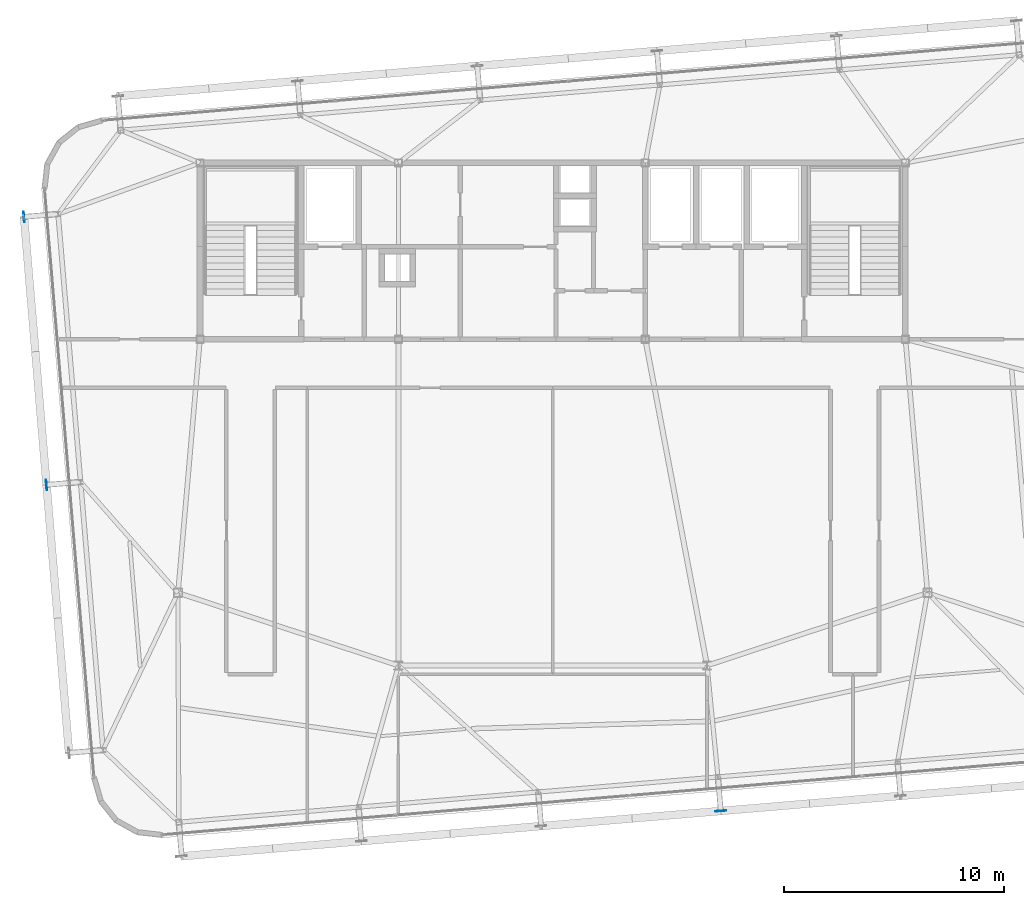
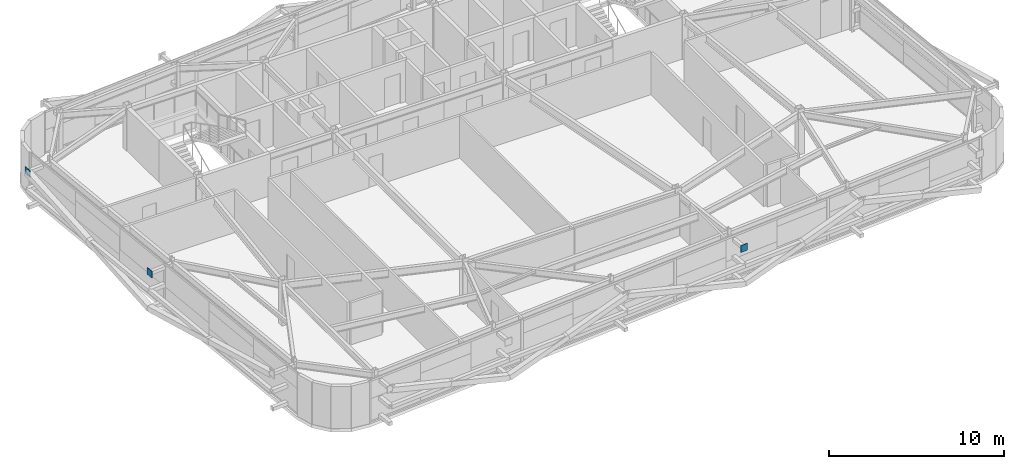
# One storey, part 28 of 37: 3 plates.
"""IFC4 building model written with IfcOpenShell, lengths in metres."""

from ifc_helpers import new_model, si_unit, direction, frame, origin, origin_2d, place, context, subcontext, project, spatial, rectangle, extrude, source, transform, mapped, material, layer, layer_set, type_object, element, save


model = new_model("IFC4")

# Units and contexts
model_context = context("Model", 3, precision=1e-05, world=origin(), true_north=direction((0.0, 1.0)))
body_context = subcontext(model_context, "Body", "Model", "MODEL_VIEW")
ifc_project = project(units=[si_unit("LENGTHUNIT", "METRE"), si_unit("AREAUNIT", "SQUARE_METRE"), si_unit("VOLUMEUNIT", "CUBIC_METRE"), si_unit("PLANEANGLEUNIT", "RADIAN"), si_unit("MASSUNIT", "GRAM", prefix="KILO")], contexts=[model_context])

# Site, building, storey
site_placement = place(None, origin())
site = spatial("IfcSite", under=ifc_project, at=site_placement, CompositionType="ELEMENT")
building_placement = place(site_placement, origin())
building = spatial("IfcBuilding", under=site, at=building_placement, Name="Taldren Reach Tower", CompositionType="ELEMENT")
storey_placement = place(building_placement, frame((0.0, 0.0, 200.89990234375)))
storey = spatial("IfcBuildingStorey", under=building, at=storey_placement, Name="L61", CompositionType="ELEMENT", Elevation=200.89990234375)

# Plates
ifc_material = material(Name="Steel Gr 450 (C450L0)", Category="steel")
ifc_layer = layer(ifc_material, 0.031982421875)
ifc_layer_set = layer_set([ifc_layer], Name="Steel Gr 450 (C450L0)")
plate_type = type_object("IfcPlateType", Name="PL-GUSSET-32", PredefinedType="SHEET", material=ifc_layer_set)
shared_shape = source(origin(), body_context, "Body", "SweptSolid", [
    extrude(rectangle(XDim=0.47998046875, YDim=0.031982421875, at=origin_2d()), origin(), (0.0, 0.0, 1.0), 0.47998046875),
])
for number, where, z_axis, x_axis, name in (
    (1, (42.623291015625, 2.60302734375, 2.41015625), (0.0, 0.0, 1.0), (0.99649285925, 0.083677843332, 0.0), "Exoskeleton star-node gusset plate B4-S4 L61"),
    (2, (12.0380859375, 17.3955078125, 2.41015625), (0.0, 0.0, 1.0), (-0.083677843332, 0.99649285925, 0.0), "Exoskeleton star-node gusset plate B4-W2 L61"),
    (3, (11.017333984375, 29.552734375, 2.41015625), (0.0, 0.0, 1.0), (-0.083677843332, 0.99649285925, 0.0), "Exoskeleton star-node gusset plate B4-W3 L61"),
):
    element("IfcPlate", number, at=place(storey_placement, frame(where, z_axis=z_axis, x_axis=x_axis)), inside=storey, type_object=plate_type, Name=name, PredefinedType="SHEET", context=body_context, shape_type="MappedRepresentation", body=[
        mapped(shared_shape, transform((0.0, 0.0, 0.0), scale=1.0)),
    ])

save(model, "model.ifc")
